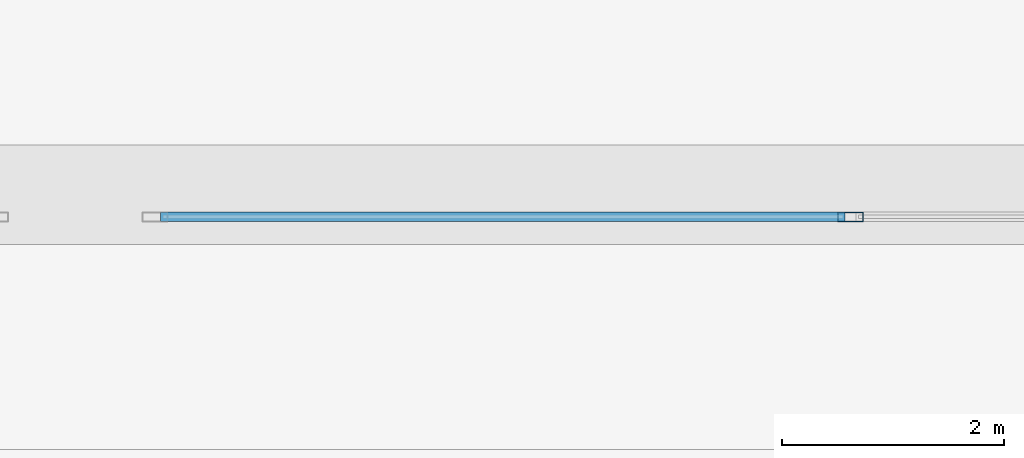
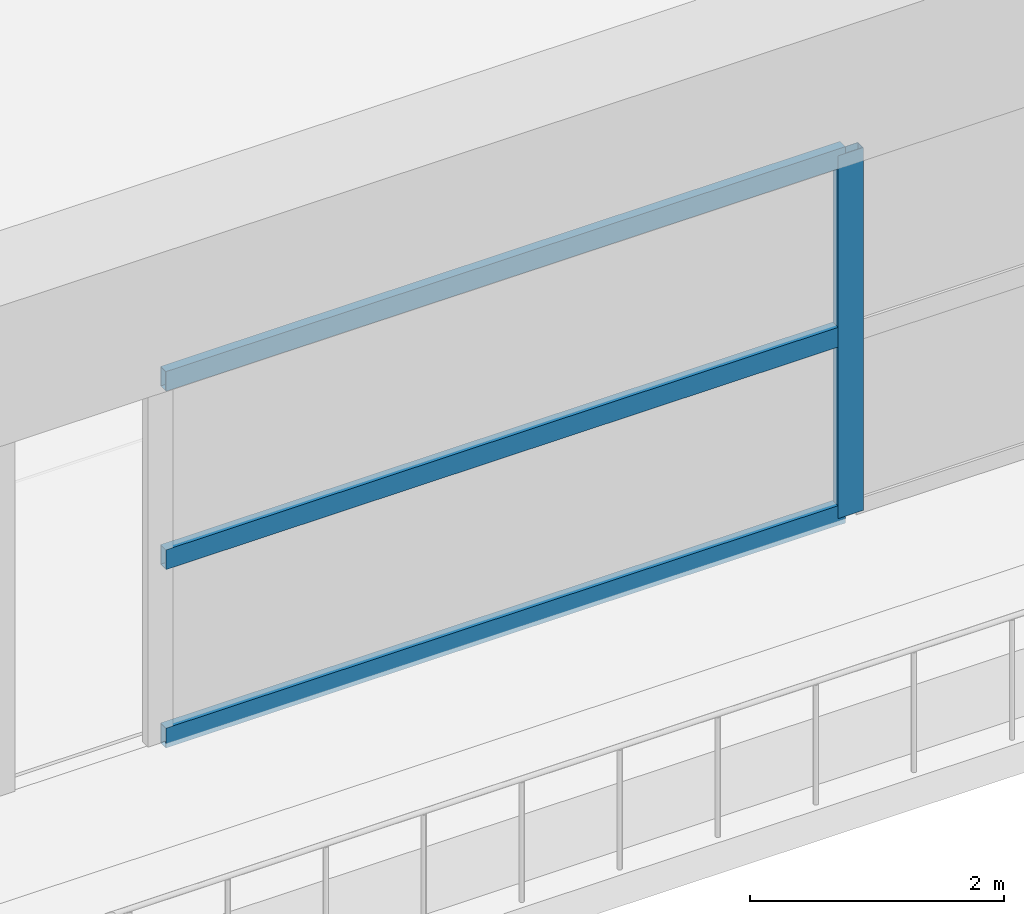
# One storey, part 23 of 43: 4 members, 1 element without a shape of its own.
"""IFC4 building model written with IfcOpenShell, lengths in metres."""

from ifc_helpers import new_model, si_unit, direction, frame, origin, origin_2d, place, context, subcontext, project, spatial, hollow_rectangle, extrude, material, material_profile, profile_set, type_object, element, aggregate, save


model = new_model("IFC4")

# Units and contexts
model_context = context("Model", 3, precision=1e-05, world=origin(), true_north=direction((0.0, 1.0)))
body_context = subcontext(model_context, "Body", "Model", "MODEL_VIEW")
ifc_project = project(units=[si_unit("LENGTHUNIT", "METRE"), si_unit("AREAUNIT", "SQUARE_METRE"), si_unit("VOLUMEUNIT", "CUBIC_METRE"), si_unit("PLANEANGLEUNIT", "RADIAN"), si_unit("MASSUNIT", "GRAM", prefix="KILO")], contexts=[model_context])

# Site, building, storey
site_placement = place(None, origin())
site = spatial("IfcSite", under=ifc_project, at=site_placement, CompositionType="ELEMENT")
building_placement = place(site_placement, origin())
building = spatial("IfcBuilding", under=site, at=building_placement, Name="Kovane Verandah Tower", CompositionType="ELEMENT")
storey_placement = place(building_placement, frame((0.0, 0.0, 11.199951171875)))
storey = spatial("IfcBuildingStorey", under=building, at=storey_placement, Name="L02", CompositionType="ELEMENT", Elevation=11.199951171875)

# Curtain wall, members
ifc_material_1 = material(Name="Champagne Anodised Aluminium Frame with Low-E Clear Laminated Glass", Category="aluminium")
curtain_wall_type = type_object("IfcCurtainWallType", Name="CW-SYS-01-POD", PredefinedType="NOTDEFINED", material=ifc_material_1)
curtain_wall_placement = place(storey_placement, origin())
curtain_wall = element("IfcCurtainWall", 1, at=curtain_wall_placement, inside=storey, type_object=curtain_wall_type, Name="L02 South Podium Curtain Wall Bay 6.1", PredefinedType="NOTDEFINED")
ifc_material_2 = material(Name="Champagne Anodised Aluminium 6063-T6", Category="aluminium")
ifc_material_profile_1 = material_profile(ifc_material_2, hollow_rectangle(XDim=0.0849609375, YDim=0.22998046875, WallThickness=0.00390625, at=origin_2d()), Name="AL85x230x4")
ifc_profile_set_1 = profile_set([ifc_material_profile_1], Name="Champagne Anodised Aluminium 6063-T6")
member_type_1 = type_object("IfcMemberType", Name="CW-MUL-85x230", PredefinedType="MULLION", material=ifc_profile_set_1)
member_1_placement = place(storey_placement, frame((65.39990234375, 5.300048828125, 0.02001953125), z_axis=(0.0, 0.0, 1.0), x_axis=(0.0, -1.0, 0.0)))
member_1 = element("IfcMember", 2, at=member_1_placement, type_object=member_type_1, Name="L02 South Podium Curtain Wall Bay 6.1 Mullion 2", PredefinedType="MULLION", context=body_context, shape_type="SweptSolid", body=[
    extrude(hollow_rectangle(XDim=0.0849609375, YDim=0.22998046875, WallThickness=0.00390625, at=origin_2d()), origin(), (0.0, 0.0, 1.0), 3.489990234375),
])
ifc_material_profile_2 = material_profile(ifc_material_2, hollow_rectangle(XDim=0.0849609375, YDim=0.18994140625, WallThickness=0.00390625, at=origin_2d()), Name="AL85x190x4")
ifc_profile_set_2 = profile_set([ifc_material_profile_2], Name="Champagne Anodised Aluminium 6063-T6")
member_type_2 = type_object("IfcMemberType", Name="CW-TRN-85x190", PredefinedType="USERDEFINED", material=ifc_profile_set_2)
member_2_placement = place(storey_placement, frame((59.169921875, 5.300048828125, 0.050048828125), z_axis=(1.0, 0.0, 0.0), x_axis=(0.0, 1.0, 0.0)))
member_2 = element("IfcMember", 3, at=member_2_placement, type_object=member_type_2, Name="L02 South Podium Curtain Wall Bay 6.1 Transom TB Bay 1", ObjectType="TRANSOM", PredefinedType="USERDEFINED", context=body_context, shape_type="SweptSolid", body=[
    extrude(hollow_rectangle(XDim=0.0849609375, YDim=0.18994140625, WallThickness=0.00390625, at=origin_2d()), origin(), (0.0, 0.0, 1.0), 6.18017578125),
])
member_3_placement = place(storey_placement, frame((59.169921875, 5.300048828125, 1.76513671875), z_axis=(1.0, 0.0, 0.0), x_axis=(0.0, 1.0, 0.0)))
member_3 = element("IfcMember", 4, at=member_3_placement, type_object=member_type_2, Name="L02 South Podium Curtain Wall Bay 6.1 Transom TM Bay 1", ObjectType="TRANSOM", PredefinedType="USERDEFINED", context=body_context, shape_type="SweptSolid", body=[
    extrude(hollow_rectangle(XDim=0.0849609375, YDim=0.18994140625, WallThickness=0.00390625, at=origin_2d()), origin(), (0.0, 0.0, 1.0), 6.18017578125),
])
member_4_placement = place(storey_placement, frame((59.169921875, 5.300048828125, 3.47998046875), z_axis=(1.0, 0.0, 0.0), x_axis=(0.0, 1.0, 0.0)))
member_4 = element("IfcMember", 5, at=member_4_placement, type_object=member_type_2, Name="L02 South Podium Curtain Wall Bay 6.1 Transom TT Bay 1", ObjectType="TRANSOM", PredefinedType="USERDEFINED", context=body_context, shape_type="SweptSolid", body=[
    extrude(hollow_rectangle(XDim=0.0849609375, YDim=0.18994140625, WallThickness=0.00390625, at=origin_2d()), origin(), (0.0, 0.0, 1.0), 6.18017578125),
])
aggregate(curtain_wall, [member_1, member_2, member_3, member_4])

save(model, "model.ifc")
